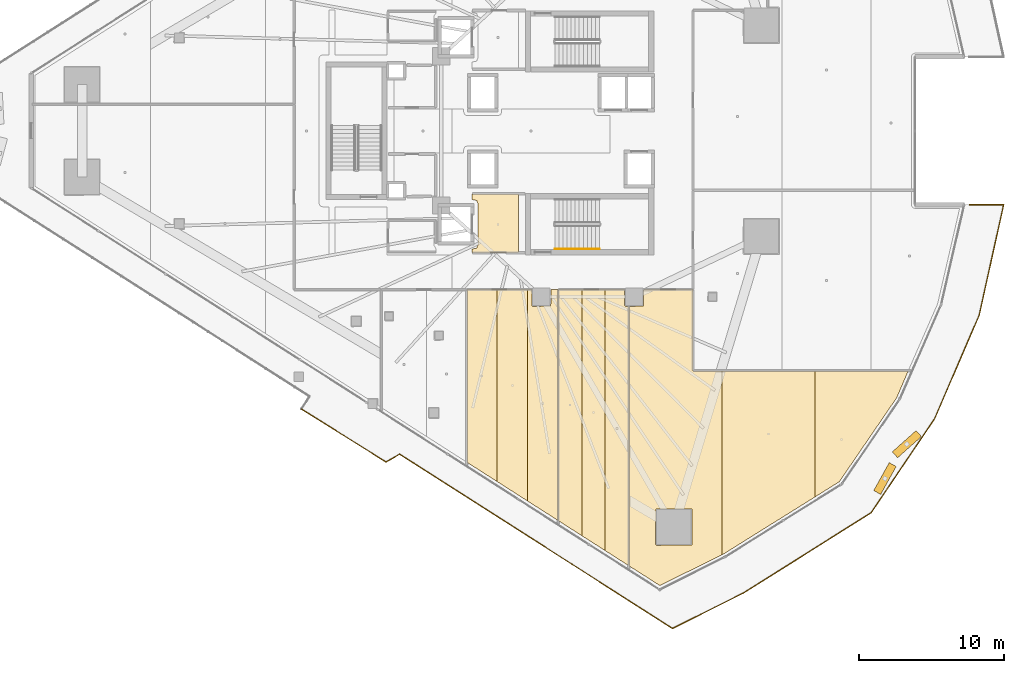
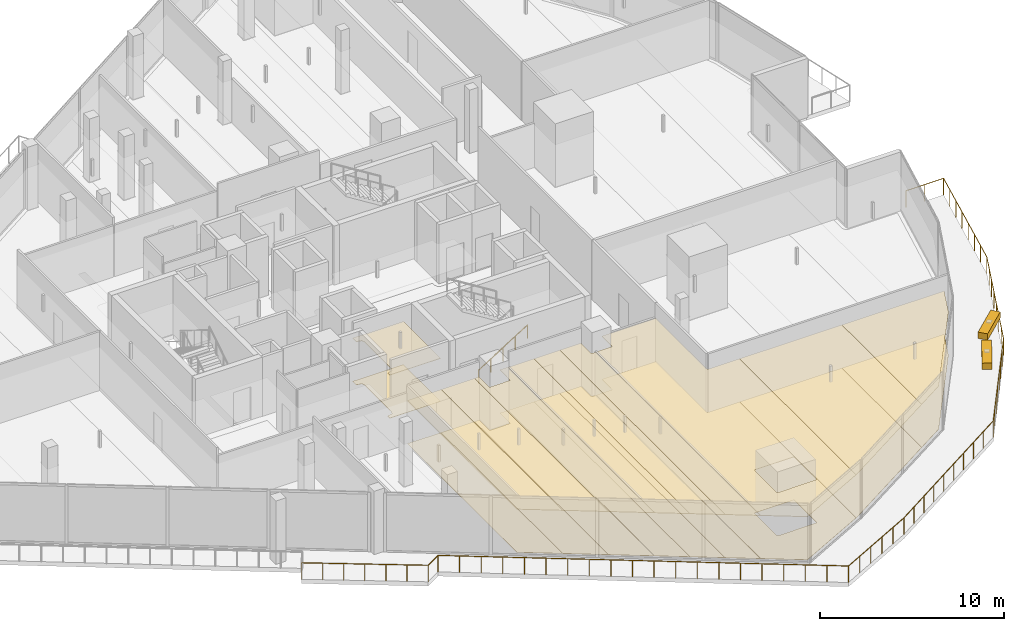
# One storey, part 39 of 45: 20 coverings, 2 railings, 2 shading devices.
"""IFC4 building model written with IfcOpenShell, lengths in metres."""

from ifc_helpers import new_model, si_unit, direction, frame, origin, origin_2d, place, context, subcontext, project, spatial, polyline, rectangle, circle, outline, extrude, material, layer, layer_set, type_object, element, save


model = new_model("IFC4")

# Units and contexts
model_context = context("Model", 3, precision=1e-05, world=origin(), true_north=direction((0.0, 1.0)))
body_context = subcontext(model_context, "Body", "Model", "MODEL_VIEW")
ifc_project = project(units=[si_unit("LENGTHUNIT", "METRE"), si_unit("AREAUNIT", "SQUARE_METRE"), si_unit("VOLUMEUNIT", "CUBIC_METRE"), si_unit("PLANEANGLEUNIT", "RADIAN"), si_unit("MASSUNIT", "GRAM", prefix="KILO")], contexts=[model_context])

# Site, building, storey
site_placement = place(None, origin())
site = spatial("IfcSite", under=ifc_project, at=site_placement, CompositionType="ELEMENT")
building_placement = place(site_placement, origin())
building = spatial("IfcBuilding", under=site, at=building_placement, Name="Qorvath Tower", CompositionType="ELEMENT")
storey_placement = place(building_placement, frame((0.0, 0.0, 91.199951171875)))
storey = spatial("IfcBuildingStorey", under=building, at=storey_placement, Name="L20", CompositionType="ELEMENT", Elevation=91.199951171875)

# Coverings
ifc_material_1 = material(Name="Acoustic mineral fibre ceiling tile", Category="gypsum")
ifc_layer_1 = layer(ifc_material_1, 0.030029296875)
ifc_layer_set_1 = layer_set([ifc_layer_1], Name="COV-CEIL")
covering_type_1 = type_object("IfcCoveringType", Name="COV-CEIL", PredefinedType="CEILING", material=ifc_layer_set_1)
covering_1_placement = place(storey_placement, frame((0.0, 0.0, 2.85009765625)))
element("IfcCovering", 1, at=covering_1_placement, inside=storey, type_object=covering_type_1, Name="L20 Suspended Acoustic Ceiling 002", PredefinedType="CEILING", context=body_context, shape_type="SweptSolid", body=[
    extrude(outline(polyline([(-25.18994140625, -8.39501953125), (-25.18994140625, -4.35498046875), (-28.375, -4.35498046875), (-28.375, -4.739990234375), (-28.063232421875, -4.813232421875), (-27.989990234375, -4.989990234375), (-27.989990234375, -7.909912109375), (-28.063232421875, -8.086669921875), (-28.375, -8.159912109375), (-28.375, -8.39501953125), (-25.18994140625, -8.39501953125)])), origin(), (0.0, 0.0, 1.0), 0.030029296875),
])
covering_2_placement = place(storey_placement, frame((0.0, 0.0, 2.85009765625)))
element("IfcCovering", 2, at=covering_2_placement, inside=storey, type_object=covering_type_1, Name="L20 Suspended Acoustic Ceiling 020", PredefinedType="CEILING", context=body_context, shape_type="SweptSolid", body=[
    extrude(outline(polyline([(-26.646484375, -24.200927734375), (-26.646484375, -10.962890625), (-28.74658203125, -10.962890625), (-28.74658203125, -22.85888671875), (-26.646484375, -24.200927734375)])), origin(), (0.0, 0.0, 1.0), 0.030029296875),
])
covering_3_placement = place(storey_placement, frame((0.0, 0.0, 2.85009765625)))
element("IfcCovering", 3, at=covering_3_placement, inside=storey, type_object=covering_type_1, Name="L20 Suspended Acoustic Ceiling 021", PredefinedType="CEILING", context=body_context, shape_type="SweptSolid", body=[
    extrude(outline(polyline([(-24.54638671875, -25.543212890625), (-24.54638671875, -10.962890625), (-26.646484375, -10.962890625), (-26.646484375, -24.200927734375), (-24.54638671875, -25.543212890625)])), origin(), (0.0, 0.0, 1.0), 0.030029296875),
])
covering_4_placement = place(storey_placement, frame((0.0, 0.0, 2.85009765625)))
element("IfcCovering", 4, at=covering_4_placement, inside=storey, type_object=covering_type_1, Name="L20 Suspended Acoustic Ceiling 022", PredefinedType="CEILING", context=body_context, shape_type="SweptSolid", body=[
    extrude(outline(polyline([(-22.4462890625, -26.885498046875), (-22.4462890625, -10.962890625), (-22.93994140625, -10.962890625), (-22.95751953125, -12.092529296875), (-24.199951171875, -12.110107421875), (-24.260009765625, -12.050048828125), (-24.260009765625, -10.962890625), (-24.54638671875, -10.962890625), (-24.54638671875, -25.543212890625), (-22.4462890625, -26.885498046875)])), origin(), (0.0, 0.0, 1.0), 0.030029296875),
])
covering_5_placement = place(storey_placement, frame((0.0, 0.0, 2.85009765625)))
element("IfcCovering", 5, at=covering_5_placement, inside=storey, type_object=covering_type_1, Name="L20 Suspended Acoustic Ceiling 023", PredefinedType="CEILING", context=body_context, shape_type="SweptSolid", body=[
    extrude(outline(polyline([(-22.42822265625, -26.89697265625), (-20.814453125, -27.928466796875), (-20.814453125, -10.962890625), (-22.42822265625, -10.962890625), (-22.42822265625, -26.89697265625)])), origin(), (0.0, 0.0, 1.0), 0.030029296875),
])
covering_6_placement = place(storey_placement, frame((0.0, 0.0, 2.85009765625)))
element("IfcCovering", 6, at=covering_6_placement, inside=storey, type_object=covering_type_1, Name="L20 Suspended Acoustic Ceiling 024", PredefinedType="CEILING", context=body_context, shape_type="SweptSolid", body=[
    extrude(outline(polyline([(-20.814453125, -10.962890625), (-20.814453125, -27.928466796875), (-19.200439453125, -28.9599609375), (-19.200439453125, -10.962890625), (-20.814453125, -10.962890625)])), origin(), (0.0, 0.0, 1.0), 0.030029296875),
])
covering_7_placement = place(storey_placement, frame((0.0, 0.0, 2.85009765625)))
element("IfcCovering", 7, at=covering_7_placement, inside=storey, type_object=covering_type_1, Name="L20 Suspended Acoustic Ceiling 025", PredefinedType="CEILING", context=body_context, shape_type="SweptSolid", body=[
    extrude(outline(polyline([(-19.200439453125, -10.962890625), (-19.200439453125, -28.9599609375), (-17.586669921875, -29.991455078125), (-17.586669921875, -12.110107421875), (-17.800048828125, -12.110107421875), (-17.860107421875, -12.050048828125), (-17.860107421875, -10.962890625), (-19.200439453125, -10.962890625)])), origin(), (0.0, 0.0, 1.0), 0.030029296875),
])
covering_8_placement = place(storey_placement, frame((0.0, 0.0, 2.85009765625)))
element("IfcCovering", 8, at=covering_8_placement, inside=storey, type_object=covering_type_1, Name="L20 Suspended Acoustic Ceiling 026", PredefinedType="CEILING", context=body_context, shape_type="SweptSolid", body=[
    extrude(outline(polyline([(-15.430419921875, -31.36962890625), (-11.14404296875, -29.248046875), (-11.14404296875, -16.55224609375), (-13.14990234375, -16.552001953125), (-13.155029296875, -10.962890625), (-16.5400390625, -10.962890625), (-16.5576171875, -12.092529296875), (-17.568603515625, -12.110107421875), (-17.568603515625, -30.0029296875), (-15.430419921875, -31.36962890625)]), holes=[polyline([(-15.724365234375, -28.53076171875), (-15.706787109375, -26.08837890625), (-13.221923828125, -26.08837890625), (-13.221923828125, -28.5732421875), (-15.664306640625, -28.5908203125), (-15.724365234375, -28.53076171875)])]), origin(), (0.0, 0.0, 1.0), 0.030029296875),
])
covering_9_placement = place(storey_placement, frame((0.0, 0.0, 2.85009765625)))
element("IfcCovering", 9, at=covering_9_placement, inside=storey, type_object=covering_type_1, Name="L20 Suspended Acoustic Ceiling 027", PredefinedType="CEILING", context=body_context, shape_type="SweptSolid", body=[
    extrude(outline(polyline([(-11.14404296875, -16.55224609375), (-11.14404296875, -29.248046875), (-11.036865234375, -29.195068359375), (-4.719482421875, -25.250732421875), (-4.719482421875, -16.552734375), (-11.14404296875, -16.55224609375)])), origin(), (0.0, 0.0, 1.0), 0.030029296875),
])
covering_10_placement = place(storey_placement, frame((0.0, 0.0, 2.85009765625)))
element("IfcCovering", 10, at=covering_10_placement, inside=storey, type_object=covering_type_1, Name="L20 Suspended Acoustic Ceiling 028", PredefinedType="CEILING", context=body_context, shape_type="SweptSolid", body=[
    extrude(outline(polyline([(-4.719482421875, -16.552734375), (-4.719482421875, -25.250732421875), (-3.052001953125, -24.209716796875), (0.916015625, -18.403564453125), (1.705078125, -16.553466796875), (-4.719482421875, -16.552734375)])), origin(), (0.0, 0.0, 1.0), 0.030029296875),
])
ifc_material_2 = material(Name="Low-VOC modular carpet tile", Category="textile")
ifc_layer_2 = layer(ifc_material_2, 0.014892578125)
ifc_layer_set_2 = layer_set([ifc_layer_2], Name="COV-FLOOR-CPT")
covering_type_2 = type_object("IfcCoveringType", Name="COV-FLOOR-CPT", PredefinedType="FLOORING", material=ifc_layer_set_2)
covering_11_placement = place(storey_placement, origin())
element("IfcCovering", 11, at=covering_11_placement, inside=storey, type_object=covering_type_2, Name="L20 Floor Finish 020", PredefinedType="FLOORING", context=body_context, shape_type="SweptSolid", body=[
    extrude(outline(polyline([(-26.646484375, -24.200927734375), (-26.646484375, -10.962890625), (-28.74658203125, -10.962890625), (-28.74658203125, -22.85888671875), (-26.646484375, -24.200927734375)])), origin(), (0.0, 0.0, 1.0), 0.01513671875),
])
covering_12_placement = place(storey_placement, origin())
element("IfcCovering", 12, at=covering_12_placement, inside=storey, type_object=covering_type_2, Name="L20 Floor Finish 021", PredefinedType="FLOORING", context=body_context, shape_type="SweptSolid", body=[
    extrude(outline(polyline([(-24.54638671875, -25.543212890625), (-24.54638671875, -10.962890625), (-26.646484375, -10.962890625), (-26.646484375, -24.200927734375), (-24.54638671875, -25.543212890625)])), origin(), (0.0, 0.0, 1.0), 0.01513671875),
])
covering_13_placement = place(storey_placement, origin())
element("IfcCovering", 13, at=covering_13_placement, inside=storey, type_object=covering_type_2, Name="L20 Floor Finish 022", PredefinedType="FLOORING", context=body_context, shape_type="SweptSolid", body=[
    extrude(outline(polyline([(-22.4462890625, -26.885498046875), (-22.4462890625, -10.962890625), (-22.93994140625, -10.962890625), (-22.95751953125, -12.092529296875), (-24.199951171875, -12.110107421875), (-24.260009765625, -12.050048828125), (-24.260009765625, -10.962890625), (-24.54638671875, -10.962890625), (-24.54638671875, -25.543212890625), (-22.4462890625, -26.885498046875)])), origin(), (0.0, 0.0, 1.0), 0.01513671875),
])
covering_14_placement = place(storey_placement, origin())
element("IfcCovering", 14, at=covering_14_placement, inside=storey, type_object=covering_type_2, Name="L20 Floor Finish 023", PredefinedType="FLOORING", context=body_context, shape_type="SweptSolid", body=[
    extrude(outline(polyline([(-22.42822265625, -26.89697265625), (-20.814453125, -27.928466796875), (-20.814453125, -10.962890625), (-22.42822265625, -10.962890625), (-22.42822265625, -26.89697265625)])), origin(), (0.0, 0.0, 1.0), 0.01513671875),
])
covering_15_placement = place(storey_placement, origin())
element("IfcCovering", 15, at=covering_15_placement, inside=storey, type_object=covering_type_2, Name="L20 Floor Finish 024", PredefinedType="FLOORING", context=body_context, shape_type="SweptSolid", body=[
    extrude(outline(polyline([(-20.814453125, -10.962890625), (-20.814453125, -27.928466796875), (-19.200439453125, -28.9599609375), (-19.200439453125, -10.962890625), (-20.814453125, -10.962890625)])), origin(), (0.0, 0.0, 1.0), 0.01513671875),
])
covering_16_placement = place(storey_placement, origin())
element("IfcCovering", 16, at=covering_16_placement, inside=storey, type_object=covering_type_2, Name="L20 Floor Finish 025", PredefinedType="FLOORING", context=body_context, shape_type="SweptSolid", body=[
    extrude(outline(polyline([(-19.200439453125, -10.962890625), (-19.200439453125, -28.9599609375), (-17.586669921875, -29.991455078125), (-17.586669921875, -12.110107421875), (-17.800048828125, -12.110107421875), (-17.860107421875, -12.050048828125), (-17.860107421875, -10.962890625), (-19.200439453125, -10.962890625)])), origin(), (0.0, 0.0, 1.0), 0.01513671875),
])
covering_17_placement = place(storey_placement, origin())
element("IfcCovering", 17, at=covering_17_placement, inside=storey, type_object=covering_type_2, Name="L20 Floor Finish 026", PredefinedType="FLOORING", context=body_context, shape_type="SweptSolid", body=[
    extrude(outline(polyline([(-15.430419921875, -31.36962890625), (-11.14404296875, -29.248046875), (-11.14404296875, -16.55224609375), (-13.14990234375, -16.552001953125), (-13.155029296875, -10.962890625), (-16.5400390625, -10.962890625), (-16.5576171875, -12.092529296875), (-17.568603515625, -12.110107421875), (-17.568603515625, -30.0029296875), (-15.430419921875, -31.36962890625)]), holes=[polyline([(-15.724365234375, -28.53076171875), (-15.706787109375, -26.08837890625), (-13.221923828125, -26.08837890625), (-13.221923828125, -28.5732421875), (-15.664306640625, -28.5908203125), (-15.724365234375, -28.53076171875)])]), origin(), (0.0, 0.0, 1.0), 0.01513671875),
])
covering_18_placement = place(storey_placement, origin())
element("IfcCovering", 18, at=covering_18_placement, inside=storey, type_object=covering_type_2, Name="L20 Floor Finish 027", PredefinedType="FLOORING", context=body_context, shape_type="SweptSolid", body=[
    extrude(outline(polyline([(-11.14404296875, -16.55224609375), (-11.14404296875, -29.248046875), (-11.036865234375, -29.195068359375), (-4.719482421875, -25.250732421875), (-4.719482421875, -16.552734375), (-11.14404296875, -16.55224609375)])), origin(), (0.0, 0.0, 1.0), 0.01513671875),
])
covering_19_placement = place(storey_placement, origin())
element("IfcCovering", 19, at=covering_19_placement, inside=storey, type_object=covering_type_2, Name="L20 Floor Finish 028", PredefinedType="FLOORING", context=body_context, shape_type="SweptSolid", body=[
    extrude(outline(polyline([(-4.719482421875, -16.552734375), (-4.719482421875, -25.250732421875), (-3.052001953125, -24.209716796875), (0.916015625, -18.403564453125), (1.705078125, -16.553466796875), (-4.719482421875, -16.552734375)])), origin(), (0.0, 0.0, 1.0), 0.01513671875),
])
ifc_material_3 = material(Name="Polished epoxy terrazzo flooring", Category="concrete")
ifc_layer_3 = layer(ifc_material_3, 0.02001953125)
ifc_layer_set_3 = layer_set([ifc_layer_3], Name="COV-FLOOR-TRZ")
covering_type_3 = type_object("IfcCoveringType", Name="COV-FLOOR-TRZ", PredefinedType="FLOORING", material=ifc_layer_set_3)
covering_20_placement = place(storey_placement, origin())
element("IfcCovering", 20, at=covering_20_placement, inside=storey, type_object=covering_type_3, Name="L20 Floor Finish 002", PredefinedType="FLOORING", context=body_context, shape_type="SweptSolid", body=[
    extrude(outline(polyline([(-25.18994140625, -8.39501953125), (-25.18994140625, -4.35498046875), (-28.375, -4.35498046875), (-28.375, -4.739990234375), (-28.063232421875, -4.813232421875), (-27.989990234375, -4.989990234375), (-27.989990234375, -7.909912109375), (-28.063232421875, -8.086669921875), (-28.375, -8.159912109375), (-28.375, -8.39501953125), (-25.18994140625, -8.39501953125)])), origin(), (0.0, 0.0, 1.0), 0.01513671875),
])

# Railings
ifc_material_4 = material(Name="Laminated safety glass and stainless steel AISI 316", Category="steel")
railing_type_1 = type_object("IfcRailingType", Name="RL-EXT-GRD", PredefinedType="GUARDRAIL", material=ifc_material_4)
railing_1_placement = place(storey_placement, frame((5.92041015625, -5.09765625, 0.0)))
element("IfcRailing", 21, at=railing_1_placement, inside=storey, type_object=railing_type_1, Name="Loggia Perimeter Guardrail L20-1.2", PredefinedType="GUARDRAIL", context=body_context, shape_type="SweptSolid", body=[
    extrude(circle(Radius=0.02392578125, at=origin_2d()), frame((0.0, 0.0, 1.09619140625), z_axis=(1.0, 0.0, 0.0), x_axis=(0.0, 1.0, 0.0)), (0.0, 0.0, 1.0), 2.366455078125),
    extrude(circle(Radius=0.02392578125, at=origin_2d()), frame((2.366455078125, 0.0, 1.09619140625), z_axis=(-0.216085924494, -0.976374350972, 0.0), x_axis=(0.976374350972, -0.216085924494, 0.0)), (0.0, 0.0, 1.0), 7.805908203125),
    extrude(circle(Radius=0.02392578125, at=origin_2d()), frame((0.6796875, -7.62158203125, 1.09619140625), z_axis=(-0.395507820137, -0.918462609043, 0.0), x_axis=(0.918462609043, -0.395507820137, 0.0)), (0.0, 0.0, 1.0), 7.80615234375),
    extrude(circle(Radius=0.02392578125, at=origin_2d()), frame((-2.40771484375, -14.791259765625, 1.09619140625), z_axis=(-0.560812875322, -0.82794258187, 0.0), x_axis=(0.82794258187, -0.560812875322, 0.0)), (0.0, 0.0, 1.0), 7.805908203125),
    extrude(circle(Radius=0.02392578125, at=origin_2d()), frame((-6.785400390625, -21.254150390625, 1.09619140625), z_axis=(-0.846493918861, -0.532398389677, 0.0), x_axis=(0.532398389677, -0.846493918861, 0.0)), (0.0, 0.0, 1.0), 10.380615234375),
    extrude(circle(Radius=0.02392578125, at=origin_2d()), frame((-15.572509765625, -26.78076171875, 1.09619140625), z_axis=(-0.894427191, -0.4472135955, 0.0), x_axis=(0.4472135955, -0.894427191, 0.0)), (0.0, 0.0, 1.0), 5.483154296875),
    extrude(circle(Radius=0.02392578125, at=origin_2d()), frame((-20.476806640625, -29.23291015625, 1.09619140625), z_axis=(-0.842606710612, 0.538529415382, 0.0), x_axis=(-0.538529415382, -0.842606710612, 0.0)), (0.0, 0.0, 1.0), 22.33642578125),
    extrude(circle(Radius=0.02392578125, at=origin_2d()), frame((-39.297607421875, -17.2041015625, 1.09619140625), z_axis=(-0.863213581751, -0.504838897353, 0.0), x_axis=(0.504838897353, -0.863213581751, 0.0)), (0.0, 0.0, 1.0), 1.081787109375),
    extrude(circle(Radius=0.02392578125, at=origin_2d()), frame((-40.2314453125, -17.750244140625, 1.09619140625), z_axis=(-0.848067989883, 0.529887426286, 0.0), x_axis=(-0.529887426286, -0.848067989883, 0.0)), (0.0, 0.0, 1.0), 6.88818359375),
    extrude(circle(Radius=0.02099609375, at=origin_2d()), origin(), (0.0, 0.0, 1.0), 1.072021484375),
    extrude(circle(Radius=0.02099609375, at=origin_2d()), frame((1.18310546875, 0.0, 0.0)), (0.0, 0.0, 1.0), 1.072021484375),
    extrude(circle(Radius=0.02099609375, at=origin_2d()), frame((2.366455078125, 0.0, 0.0)), (0.0, 0.0, 1.0), 1.072021484375),
    extrude(circle(Radius=0.02099609375, at=origin_2d()), frame((2.12548828125, -1.0888671875, 0.0)), (0.0, 0.0, 1.0), 1.072021484375),
    extrude(circle(Radius=0.02099609375, at=origin_2d()), frame((1.884521484375, -2.177490234375, 0.0)), (0.0, 0.0, 1.0), 1.072021484375),
    extrude(circle(Radius=0.02099609375, at=origin_2d()), frame((1.6435546875, -3.266357421875, 0.0)), (0.0, 0.0, 1.0), 1.072021484375),
    extrude(circle(Radius=0.02099609375, at=origin_2d()), frame((1.402587890625, -4.355224609375, 0.0)), (0.0, 0.0, 1.0), 1.072021484375),
    extrude(circle(Radius=0.02099609375, at=origin_2d()), frame((1.16162109375, -5.444091796875, 0.0)), (0.0, 0.0, 1.0), 1.072021484375),
    extrude(circle(Radius=0.02099609375, at=origin_2d()), frame((0.920654296875, -6.53271484375, 0.0)), (0.0, 0.0, 1.0), 1.072021484375),
    extrude(circle(Radius=0.02099609375, at=origin_2d()), frame((0.6796875, -7.62158203125, 0.0)), (0.0, 0.0, 1.0), 1.072021484375),
    extrude(circle(Radius=0.02099609375, at=origin_2d()), frame((0.238525390625, -8.645751953125, 0.0)), (0.0, 0.0, 1.0), 1.072021484375),
    extrude(circle(Radius=0.02099609375, at=origin_2d()), frame((-0.202392578125, -9.670166015625, 0.0)), (0.0, 0.0, 1.0), 1.072021484375),
    extrude(circle(Radius=0.02099609375, at=origin_2d()), frame((-0.6435546875, -10.6943359375, 0.0)), (0.0, 0.0, 1.0), 1.072021484375),
    extrude(circle(Radius=0.02099609375, at=origin_2d()), frame((-1.08447265625, -11.718505859375, 0.0)), (0.0, 0.0, 1.0), 1.072021484375),
    extrude(circle(Radius=0.02099609375, at=origin_2d()), frame((-1.525634765625, -12.74267578125, 0.0)), (0.0, 0.0, 1.0), 1.072021484375),
    extrude(circle(Radius=0.02099609375, at=origin_2d()), frame((-1.966552734375, -13.76708984375, 0.0)), (0.0, 0.0, 1.0), 1.072021484375),
    extrude(circle(Radius=0.02099609375, at=origin_2d()), frame((-2.40771484375, -14.791259765625, 0.0)), (0.0, 0.0, 1.0), 1.072021484375),
    extrude(circle(Radius=0.02099609375, at=origin_2d()), frame((-3.033203125, -15.714599609375, 0.0)), (0.0, 0.0, 1.0), 1.072021484375),
    extrude(circle(Radius=0.02099609375, at=origin_2d()), frame((-3.658447265625, -16.6376953125, 0.0)), (0.0, 0.0, 1.0), 1.072021484375),
    extrude(circle(Radius=0.02099609375, at=origin_2d()), frame((-4.283935546875, -17.56103515625, 0.0)), (0.0, 0.0, 1.0), 1.072021484375),
    extrude(circle(Radius=0.02099609375, at=origin_2d()), frame((-4.9091796875, -18.484375, 0.0)), (0.0, 0.0, 1.0), 1.072021484375),
    extrude(circle(Radius=0.02099609375, at=origin_2d()), frame((-5.53466796875, -19.40771484375, 0.0)), (0.0, 0.0, 1.0), 1.072021484375),
    extrude(circle(Radius=0.02099609375, at=origin_2d()), frame((-6.159912109375, -20.330810546875, 0.0)), (0.0, 0.0, 1.0), 1.072021484375),
    extrude(circle(Radius=0.02099609375, at=origin_2d()), frame((-6.785400390625, -21.254150390625, 0.0)), (0.0, 0.0, 1.0), 1.072021484375),
    extrude(circle(Radius=0.02099609375, at=origin_2d()), frame((-7.76171875, -21.8681640625, 0.0)), (0.0, 0.0, 1.0), 1.072021484375),
    extrude(circle(Radius=0.02099609375, at=origin_2d()), frame((-8.738037109375, -22.482177734375, 0.0)), (0.0, 0.0, 1.0), 1.072021484375),
    extrude(circle(Radius=0.02099609375, at=origin_2d()), frame((-9.71435546875, -23.096435546875, 0.0)), (0.0, 0.0, 1.0), 1.072021484375),
    extrude(circle(Radius=0.02099609375, at=origin_2d()), frame((-10.690673828125, -23.71044921875, 0.0)), (0.0, 0.0, 1.0), 1.072021484375),
    extrude(circle(Radius=0.02099609375, at=origin_2d()), frame((-11.667236328125, -24.324462890625, 0.0)), (0.0, 0.0, 1.0), 1.072021484375),
    extrude(circle(Radius=0.02099609375, at=origin_2d()), frame((-12.6435546875, -24.9384765625, 0.0)), (0.0, 0.0, 1.0), 1.072021484375),
    extrude(circle(Radius=0.02099609375, at=origin_2d()), frame((-13.619873046875, -25.552734375, 0.0)), (0.0, 0.0, 1.0), 1.072021484375),
    extrude(circle(Radius=0.02099609375, at=origin_2d()), frame((-14.59619140625, -26.166748046875, 0.0)), (0.0, 0.0, 1.0), 1.072021484375),
    extrude(circle(Radius=0.02099609375, at=origin_2d()), frame((-15.572509765625, -26.78076171875, 0.0)), (0.0, 0.0, 1.0), 1.072021484375),
    extrude(circle(Radius=0.02099609375, at=origin_2d()), frame((-16.553466796875, -27.271240234375, 0.0)), (0.0, 0.0, 1.0), 1.072021484375),
    extrude(circle(Radius=0.02099609375, at=origin_2d()), frame((-17.5341796875, -27.76171875, 0.0)), (0.0, 0.0, 1.0), 1.072021484375),
    extrude(circle(Radius=0.02099609375, at=origin_2d()), frame((-18.51513671875, -28.251953125, 0.0)), (0.0, 0.0, 1.0), 1.072021484375),
    extrude(circle(Radius=0.02099609375, at=origin_2d()), frame((-19.495849609375, -28.742431640625, 0.0)), (0.0, 0.0, 1.0), 1.072021484375),
    extrude(circle(Radius=0.02099609375, at=origin_2d()), frame((-20.476806640625, -29.23291015625, 0.0)), (0.0, 0.0, 1.0), 1.072021484375),
    extrude(circle(Radius=0.02099609375, at=origin_2d()), frame((-21.46728515625, -28.599853515625, 0.0)), (0.0, 0.0, 1.0), 1.072021484375),
    extrude(circle(Radius=0.02099609375, at=origin_2d()), frame((-22.4580078125, -27.966796875, 0.0)), (0.0, 0.0, 1.0), 1.072021484375),
    extrude(circle(Radius=0.02099609375, at=origin_2d()), frame((-23.448486328125, -27.333740234375, 0.0)), (0.0, 0.0, 1.0), 1.072021484375),
    extrude(circle(Radius=0.02099609375, at=origin_2d()), frame((-24.43896484375, -26.700439453125, 0.0)), (0.0, 0.0, 1.0), 1.072021484375),
    extrude(circle(Radius=0.02099609375, at=origin_2d()), frame((-25.4296875, -26.0673828125, 0.0)), (0.0, 0.0, 1.0), 1.072021484375),
    extrude(circle(Radius=0.02099609375, at=origin_2d()), frame((-26.420166015625, -25.434326171875, 0.0)), (0.0, 0.0, 1.0), 1.072021484375),
    extrude(circle(Radius=0.02099609375, at=origin_2d()), frame((-27.410888671875, -24.80126953125, 0.0)), (0.0, 0.0, 1.0), 1.072021484375),
    extrude(circle(Radius=0.02099609375, at=origin_2d()), frame((-28.4013671875, -24.168212890625, 0.0)), (0.0, 0.0, 1.0), 1.072021484375),
    extrude(circle(Radius=0.02099609375, at=origin_2d()), frame((-29.391845703125, -23.53515625, 0.0)), (0.0, 0.0, 1.0), 1.072021484375),
    extrude(circle(Radius=0.02099609375, at=origin_2d()), frame((-30.382568359375, -22.90185546875, 0.0)), (0.0, 0.0, 1.0), 1.072021484375),
    extrude(circle(Radius=0.02099609375, at=origin_2d()), frame((-31.373046875, -22.268798828125, 0.0)), (0.0, 0.0, 1.0), 1.072021484375),
    extrude(circle(Radius=0.02099609375, at=origin_2d()), frame((-32.363525390625, -21.6357421875, 0.0)), (0.0, 0.0, 1.0), 1.072021484375),
    extrude(circle(Radius=0.02099609375, at=origin_2d()), frame((-33.354248046875, -21.002685546875, 0.0)), (0.0, 0.0, 1.0), 1.072021484375),
    extrude(circle(Radius=0.02099609375, at=origin_2d()), frame((-34.3447265625, -20.36962890625, 0.0)), (0.0, 0.0, 1.0), 1.072021484375),
    extrude(circle(Radius=0.02099609375, at=origin_2d()), frame((-35.33544921875, -19.736572265625, 0.0)), (0.0, 0.0, 1.0), 1.072021484375),
    extrude(circle(Radius=0.02099609375, at=origin_2d()), frame((-36.325927734375, -19.103271484375, 0.0)), (0.0, 0.0, 1.0), 1.072021484375),
    extrude(circle(Radius=0.02099609375, at=origin_2d()), frame((-37.31640625, -18.47021484375, 0.0)), (0.0, 0.0, 1.0), 1.072021484375),
    extrude(circle(Radius=0.02099609375, at=origin_2d()), frame((-38.30712890625, -17.837158203125, 0.0)), (0.0, 0.0, 1.0), 1.072021484375),
    extrude(circle(Radius=0.02099609375, at=origin_2d()), frame((-39.297607421875, -17.2041015625, 0.0)), (0.0, 0.0, 1.0), 1.072021484375),
    extrude(circle(Radius=0.02099609375, at=origin_2d()), frame((-40.2314453125, -17.750244140625, 0.0)), (0.0, 0.0, 1.0), 1.072021484375),
    extrude(circle(Radius=0.02099609375, at=origin_2d()), frame((-41.205078125, -17.141845703125, 0.0)), (0.0, 0.0, 1.0), 1.072021484375),
    extrude(circle(Radius=0.02099609375, at=origin_2d()), frame((-42.1787109375, -16.53369140625, 0.0)), (0.0, 0.0, 1.0), 1.072021484375),
    extrude(circle(Radius=0.02099609375, at=origin_2d()), frame((-43.15234375, -15.92529296875, 0.0)), (0.0, 0.0, 1.0), 1.072021484375),
    extrude(circle(Radius=0.02099609375, at=origin_2d()), frame((-44.125732421875, -15.31689453125, 0.0)), (0.0, 0.0, 1.0), 1.072021484375),
    extrude(circle(Radius=0.02099609375, at=origin_2d()), frame((-45.099365234375, -14.708740234375, 0.0)), (0.0, 0.0, 1.0), 1.072021484375),
    extrude(circle(Radius=0.02099609375, at=origin_2d()), frame((-46.072998046875, -14.100341796875, 0.0)), (0.0, 0.0, 1.0), 1.072021484375),
])
ifc_material_5 = material(Name="Brushed stainless steel AISI 304", Category="steel")
railing_type_2 = type_object("IfcRailingType", Name="RL-STR-HND", PredefinedType="HANDRAIL", material=ifc_material_5)
railing_2_placement = place(storey_placement, frame((-22.669921875, -8.14990234375, 0.175048828125)))
element("IfcRailing", 22, at=railing_2_placement, inside=storey, type_object=railing_type_2, Name="L20 TS2 stair handrail 1", PredefinedType="HANDRAIL", context=body_context, shape_type="SweptSolid", body=[
    extrude(circle(Radius=0.02392578125, at=origin_2d()), frame((0.0, 0.0, 0.8759765625), z_axis=(0.847979421464, 0.0, 0.530029150871), x_axis=(0.0, 1.0, 0.0)), (0.0, 0.0, 1.0), 3.632080078125),
    extrude(circle(Radius=0.02099609375, at=origin_2d()), origin(), (0.0, 0.0, 1.0), 0.851806640625),
    extrude(circle(Radius=0.02099609375, at=origin_2d()), frame((0.77001953125, 0.0, 0.481201171875)), (0.0, 0.0, 1.0), 0.851806640625),
    extrude(circle(Radius=0.02099609375, at=origin_2d()), frame((1.5400390625, 0.0, 0.96240234375)), (0.0, 0.0, 1.0), 0.851806640625),
    extrude(circle(Radius=0.02099609375, at=origin_2d()), frame((2.309814453125, 0.0, 1.44384765625)), (0.0, 0.0, 1.0), 0.851806640625),
    extrude(circle(Radius=0.02099609375, at=origin_2d()), frame((3.079833984375, 0.0, 1.925048828125)), (0.0, 0.0, 1.0), 0.851806640625),
])

# Shading devices
ifc_material_6 = material(Name="Anodised bronze-champagne aluminium", Category="aluminium")
shading_device_type = type_object("IfcShadingDeviceType", Name="SD-LOUVRE", PredefinedType="JALOUSIE", material=ifc_material_6)
for number, where, z_axis, x_axis, name in (
    (23, (0.09716796875, -23.986328125, 3.500244140625), (0.0, 0.0, 1.0), (0.485633714459, 0.874162396458, 0.0), "Sinusoidal Wave Louvre Blade L20-03"),
    (24, (1.609619140625, -21.61669921875, 3.500244140625), (0.0, 0.0, 1.0), (0.746202630149, 0.665718885685, 0.0), "Sinusoidal Wave Louvre Blade L20-04"),
):
    element("IfcShadingDevice", number, at=place(storey_placement, frame(where, z_axis=z_axis, x_axis=x_axis)), inside=storey, type_object=shading_device_type, Name=name, PredefinedType="NOTDEFINED", context=body_context, shape_type="SweptSolid", body=[
        extrude(rectangle(XDim=2.199951171875, YDim=0.550048828125, at=origin_2d()), origin(), (0.0, 0.0, 1.0), 0.419921875),
    ])

save(model, "model.ifc")
